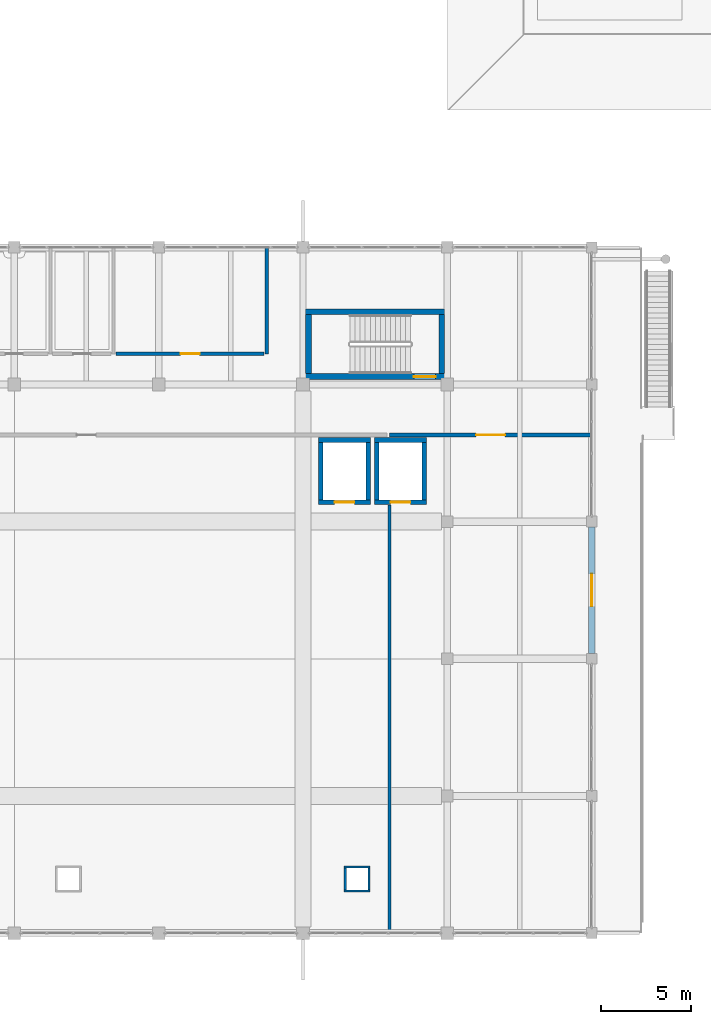
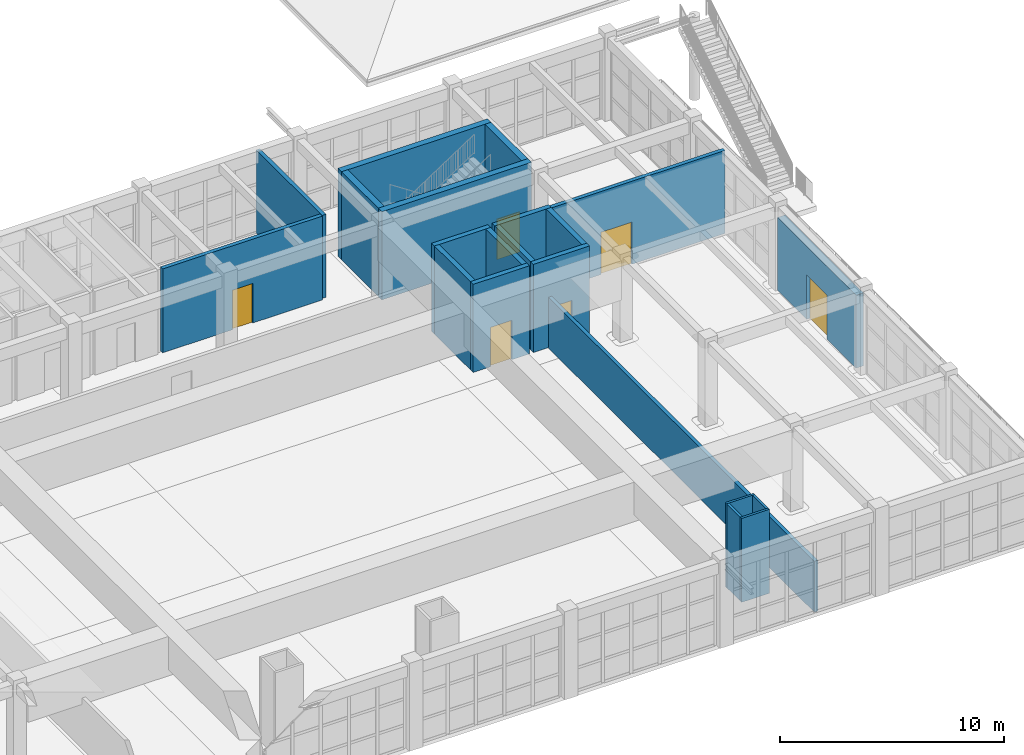
# One storey, part 38 of 50: 21 walls, 6 doors, 6 openings.
"""IFC4 building model written with IfcOpenShell, lengths in metres."""

from ifc_helpers import new_model, si_unit, direction, frame, frame_2d, origin, place, context, subcontext, project, spatial, rectangle, extrude, material, layer, layer_set, type_object, element, fill, save


model = new_model("IFC4")

# Units and contexts
model_context = context("Model", 3, precision=1e-05, world=origin(), true_north=direction((0.0, 1.0)))
body_context = subcontext(model_context, "Body", "Model", "MODEL_VIEW")
ifc_project = project(units=[si_unit("LENGTHUNIT", "METRE"), si_unit("AREAUNIT", "SQUARE_METRE"), si_unit("VOLUMEUNIT", "CUBIC_METRE"), si_unit("PLANEANGLEUNIT", "RADIAN"), si_unit("MASSUNIT", "GRAM", prefix="KILO")], contexts=[model_context])

# Site, building, storey
site_placement = place(None, origin())
site = spatial("IfcSite", under=ifc_project, at=site_placement, CompositionType="ELEMENT")
building_placement = place(site_placement, origin())
building = spatial("IfcBuilding", under=site, at=building_placement, Name="Zantavel Square City Hall", CompositionType="ELEMENT")
storey_placement = place(building_placement, frame((0.0, 0.0, 18.89990234375)))
storey = spatial("IfcBuildingStorey", under=building, at=storey_placement, Name="L05", CompositionType="ELEMENT", Elevation=18.89990234375)

# Wall, opening, door
ifc_material_1 = material(Name="Concrete C40/50", Category="concrete")
ifc_layer_1 = layer(ifc_material_1, 0.320068359375, Name="Concrete C40/50")
ifc_layer_set_1 = layer_set([ifc_layer_1], Name="Concrete C40/50")
wall_type_1 = type_object("IfcWallType", Name="Core Shear Wall RC 320mm C40/50", PredefinedType="SHEAR", material=ifc_layer_set_1)
wall_1_placement = place(storey_placement, frame((103.85009765625, 61.239990234375, 0.0), z_axis=(0.0, 0.0, 1.0), x_axis=(-1.0, 0.0, 0.0)))
wall_1 = element("IfcWall", 1, at=wall_1_placement, inside=storey, type_object=wall_type_1, Name="L05 Exit Stair 6 Central East Core Shear Wall South", PredefinedType="SHEAR", context=body_context, shape_type="SweptSolid", body=[
    extrude(rectangle(XDim=7.7001953125, YDim=0.320068359375, at=frame_2d((3.85009765625, 0.0))), origin(), (0.0, 0.0, 1.0), 4.800048828125),
])
opening_1_placement = place(wall_1_placement, frame((0.5, 0.0, 0.0)))
opening_1 = element("IfcOpeningElement", 2, at=opening_1_placement, cuts=wall_1, Name="Opening SD-031", PredefinedType="OPENING", context=body_context, shape_type="SweptSolid", body=[
    extrude(rectangle(XDim=1.199951171875, YDim=2.199951171875, at=frame_2d((0.60009765625, 1.10009765625))), frame((0.0, 0.169921875, 0.0), z_axis=(0.0, -1.0, 0.0), x_axis=(1.0, 0.0, 0.0)), (0.0, 0.0, 1.0), 0.340087890625),
])
ifc_material_2 = material(Name="Steel ASTM A500 Grade B", Category="steel")
door_type_1 = type_object("IfcDoorType", Name="Enclosed Exit Stairwell Fire Door 1200x2200 FD90S", OperationType="NOTDEFINED", PredefinedType="DOOR", material=ifc_material_2)
door_1_placement = place(opening_1_placement, origin())
door_1 = element("IfcDoor", 3, at=door_1_placement, inside=storey, type_object=door_type_1, Name="L05 Exit Stair 6 Central East Core Fire Door", OperationType="SINGLE_SWING_LEFT", OverallHeight=2.199951171875, OverallWidth=1.199951171875, PredefinedType="DOOR", context=body_context, shape_type="SweptSolid", body=[
    extrude(rectangle(XDim=1.199951171875, YDim=2.199951171875, at=frame_2d((0.60009765625, 1.10009765625))), frame((0.0, 0.02490234375, 0.0), z_axis=(0.0, -1.0, 0.0), x_axis=(1.0, 0.0, 0.0)), (0.0, 0.0, 1.0), 0.050048828125),
])
fill(opening_1, door_1)

# Walls
wall_2_placement = place(storey_placement, frame((96.31005859375, 61.39990234375, 0.0), z_axis=(0.0, 0.0, 1.0), x_axis=(0.0, 1.0, 0.0)))
element("IfcWall", 4, at=wall_2_placement, inside=storey, type_object=wall_type_1, Name="L05 Exit Stair 6 Central East Core Shear Wall West", PredefinedType="SHEAR", context=body_context, shape_type="SweptSolid", body=[
    extrude(rectangle(XDim=3.27001953125, YDim=0.320068359375, at=frame_2d((1.635009765625, 0.0))), origin(), (0.0, 0.0, 1.0), 4.800048828125),
])
wall_3_placement = place(storey_placement, frame((96.14990234375, 64.830078125, 0.0), z_axis=(0.0, 0.0, 1.0), x_axis=(1.0, 0.0, 0.0)))
element("IfcWall", 5, at=wall_3_placement, inside=storey, type_object=wall_type_1, Name="L05 Exit Stair 6 Central East Core Shear Wall North", PredefinedType="SHEAR", context=body_context, shape_type="SweptSolid", body=[
    extrude(rectangle(XDim=7.7001953125, YDim=0.320068359375, at=frame_2d((3.85009765625, 0.0))), origin(), (0.0, 0.0, 1.0), 4.800048828125),
])
wall_4_placement = place(storey_placement, frame((103.68994140625, 64.669921875, 0.0), z_axis=(0.0, 0.0, 1.0), x_axis=(0.0, -1.0, 0.0)))
element("IfcWall", 6, at=wall_4_placement, inside=storey, type_object=wall_type_1, Name="L05 Exit Stair 6 Central East Core Shear Wall East", PredefinedType="SHEAR", context=body_context, shape_type="SweptSolid", body=[
    extrude(rectangle(XDim=3.27001953125, YDim=0.320068359375, at=frame_2d((1.635009765625, 0.0))), origin(), (0.0, 0.0, 1.0), 4.800048828125),
])
ifc_material_3 = material(Name="Gypsum acoustic stud assembly", Category="masonry")
ifc_layer_2 = layer(ifc_material_3, 0.179931640625, Name="Gypsum acoustic stud assembly")
ifc_layer_set_2 = layer_set([ifc_layer_2], Name="Gypsum acoustic stud assembly")
wall_type_2 = type_object("IfcWallType", Name="Council Acoustic Partition 180mm", PredefinedType="PARTITIONING", material=ifc_layer_set_2)
wall_5_placement = place(storey_placement, frame((100.800048828125, 30.39990234375, 0.0), z_axis=(0.0, 0.0, 1.0), x_axis=(0.0, 1.0, 0.0)))
element("IfcWall", 7, at=wall_5_placement, inside=storey, type_object=wall_type_2, Name="L05 Interior Wall IW-L05-0340", PredefinedType="PARTITIONING", context=body_context, shape_type="SweptSolid", body=[
    extrude(rectangle(XDim=23.72021484375, YDim=0.179931640625, at=frame_2d((11.860107421875, 0.0))), origin(), (0.0, 0.0, 1.0), 2.77001953125),
])

# Wall, opening, door
ifc_material_4 = material(Name="Cantera volcanic tuff stone", Category="masonry")
ifc_layer_3 = layer(ifc_material_4, 0.199951171875, Name="Cantera volcanic tuff stone")
ifc_layer_set_3 = layer_set([ifc_layer_3], Name="Cantera volcanic tuff stone")
wall_type_3 = type_object("IfcWallType", Name="Exit Corridor Rated Wall 200mm", PredefinedType="STANDARD", material=ifc_layer_set_3)
wall_6_placement = place(storey_placement, frame((100.800048828125, 58.0, 0.0), z_axis=(0.0, 0.0, 1.0), x_axis=(1.0, 0.0, 0.0)))
wall_6 = element("IfcWall", 8, at=wall_6_placement, inside=storey, type_object=wall_type_3, Name="L05 Interior Wall IW-L05-0341", PredefinedType="STANDARD", context=body_context, shape_type="SweptSolid", body=[
    extrude(rectangle(XDim=11.199951171875, YDim=0.199951171875, at=frame_2d((5.60009765625, 0.0))), origin(), (0.0, 0.0, 1.0), 4.52001953125),
])
opening_2_placement = place(wall_6_placement, frame((4.800048828125, 0.0, 0.0)))
opening_2 = element("IfcOpeningElement", 9, at=opening_2_placement, cuts=wall_6, Name="Opening D-0163", PredefinedType="OPENING", context=body_context, shape_type="SweptSolid", body=[
    extrude(rectangle(XDim=1.60009765625, YDim=2.300048828125, at=frame_2d((0.800048828125, 1.14990234375))), frame((0.0, 0.10986328125, 0.0), z_axis=(0.0, -1.0, 0.0), x_axis=(1.0, 0.0, 0.0)), (0.0, 0.0, 1.0), 0.219970703125),
])
ifc_material_5 = material(Name="Solid oak hardwood", Category="wood")
door_type_2 = type_object("IfcDoorType", Name="Committee Suite Fire Double Door 1600x2300 FD60S", OperationType="NOTDEFINED", PredefinedType="DOOR", material=ifc_material_5)
door_2_placement = place(opening_2_placement, origin())
door_2 = element("IfcDoor", 10, at=door_2_placement, inside=storey, type_object=door_type_2, Name="L05 Council Deliberation Lounge East Door", OperationType="DOUBLE_DOOR_SINGLE_SWING", OverallHeight=2.300048828125, OverallWidth=1.60009765625, PredefinedType="DOOR", context=body_context, shape_type="SweptSolid", body=[
    extrude(rectangle(XDim=1.60009765625, YDim=2.300048828125, at=frame_2d((0.800048828125, 1.14990234375))), frame((0.0, 0.02490234375, 0.0), z_axis=(0.0, -1.0, 0.0), x_axis=(1.0, 0.0, 0.0)), (0.0, 0.0, 1.0), 0.050048828125),
])
fill(opening_2, door_2)

# Wall
wall_7_placement = place(storey_placement, frame((94.0, 68.39990234375, 0.0), z_axis=(0.0, 0.0, 1.0), x_axis=(0.0, -1.0, 0.0)))
element("IfcWall", 11, at=wall_7_placement, inside=storey, type_object=wall_type_3, Name="L05 Interior Wall IW-L05-0346", PredefinedType="STANDARD", context=body_context, shape_type="SweptSolid", body=[
    extrude(rectangle(XDim=5.89990234375, YDim=0.199951171875, at=frame_2d((2.949951171875, 0.0))), origin(), (0.0, 0.0, 1.0), 4.52001953125),
])

# Wall, opening, door
wall_8_placement = place(storey_placement, frame((93.85009765625, 62.5, 0.0), z_axis=(0.0, 0.0, 1.0), x_axis=(-1.0, 0.0, 0.0)))
wall_8 = element("IfcWall", 12, at=wall_8_placement, inside=storey, type_object=wall_type_3, Name="L05 Interior Wall IW-L05-0347", PredefinedType="STANDARD", context=body_context, shape_type="SweptSolid", body=[
    extrude(rectangle(XDim=8.22021484375, YDim=0.199951171875, at=frame_2d((4.110107421875, 0.0))), origin(), (0.0, 0.0, 1.0), 4.570068359375),
])
opening_3_placement = place(wall_8_placement, frame((3.5849609375, 0.0, 0.0)))
opening_3 = element("IfcOpeningElement", 13, at=opening_3_placement, cuts=wall_8, Name="Opening D-0165", PredefinedType="OPENING", context=body_context, shape_type="SweptSolid", body=[
    extrude(rectangle(XDim=1.050048828125, YDim=2.14990234375, at=frame_2d((0.52490234375, 1.074951171875))), frame((0.0, 0.10986328125, 0.0), z_axis=(0.0, -1.0, 0.0), x_axis=(1.0, 0.0, 0.0)), (0.0, 0.0, 1.0), 0.219970703125),
])
door_type_3 = type_object("IfcDoorType", Name="Corridor Office Oak Fire Door 1050x2150 FD60S", OperationType="NOTDEFINED", PredefinedType="DOOR", material=ifc_material_5)
door_3_placement = place(opening_3_placement, origin())
door_3 = element("IfcDoor", 14, at=door_3_placement, inside=storey, type_object=door_type_3, Name="L05 Clerk of the Council Recording Office Door", OperationType="SINGLE_SWING_LEFT", OverallHeight=2.14990234375, OverallWidth=1.050048828125, PredefinedType="DOOR", context=body_context, shape_type="SweptSolid", body=[
    extrude(rectangle(XDim=1.050048828125, YDim=2.14990234375, at=frame_2d((0.52490234375, 1.074951171875))), frame((0.0, 0.02490234375, 0.0), z_axis=(0.0, -1.0, 0.0), x_axis=(1.0, 0.0, 0.0)), (0.0, 0.0, 1.0), 0.050048828125),
])
fill(opening_3, door_3)

ifc_layer_4 = layer(ifc_material_1, 0.25, Name="Concrete C40/50")
ifc_layer_set_4 = layer_set([ifc_layer_4], Name="Concrete C40/50")
wall_type_4 = type_object("IfcWallType", Name="Lift Shaft Wall RC 250mm C40/50", PredefinedType="SHEAR", material=ifc_layer_set_4)
wall_9_placement = place(storey_placement, frame((99.75, 54.27490234375, 0.0), z_axis=(0.0, 0.0, 1.0), x_axis=(-1.0, 0.0, 0.0)))
wall_9 = element("IfcWall", 15, at=wall_9_placement, inside=storey, type_object=wall_type_4, Name="L05 Lift LF03 Shaft Wall South", PredefinedType="SHEAR", context=body_context, shape_type="SweptSolid", body=[
    extrude(rectangle(XDim=2.89990234375, YDim=0.25, at=frame_2d((1.449951171875, 0.0))), origin(), (0.0, 0.0, 1.0), 4.800048828125),
])
opening_4_placement = place(wall_9_placement, frame((0.89990234375, 0.0, 0.0)))
opening_4 = element("IfcOpeningElement", 16, at=opening_4_placement, cuts=wall_9, Name="Opening LD-LF03-L05", PredefinedType="OPENING", context=body_context, shape_type="SweptSolid", body=[
    extrude(rectangle(XDim=1.10009765625, YDim=2.14990234375, at=frame_2d((0.550048828125, 1.074951171875))), frame((0.0, 0.135009765625, 0.0), z_axis=(0.0, -1.0, 0.0), x_axis=(1.0, 0.0, 0.0)), (0.0, 0.0, 1.0), 0.27001953125),
])
ifc_material_6 = material(Name="Stainless steel 316", Category="steel")
door_type_4 = type_object("IfcDoorType", Name="Lift Landing Sliding Door 1100x2150 FD90S", OperationType="NOTDEFINED", PredefinedType="DOOR", material=ifc_material_6)
door_4_placement = place(opening_4_placement, origin())
door_4 = element("IfcDoor", 17, at=door_4_placement, inside=storey, type_object=door_type_4, Name="L05 Lift LF03 Sliding Landing Door", OperationType="DOUBLE_DOOR_SLIDING", OverallHeight=2.14990234375, OverallWidth=1.10009765625, PredefinedType="DOOR", context=body_context, shape_type="SweptSolid", body=[
    extrude(rectangle(XDim=1.10009765625, YDim=2.14990234375, at=frame_2d((0.550048828125, 1.074951171875))), frame((0.0, 0.02490234375, 0.0), z_axis=(0.0, -1.0, 0.0), x_axis=(1.0, 0.0, 0.0)), (0.0, 0.0, 1.0), 0.050048828125),
])
fill(opening_4, door_4)

# Walls
wall_10_placement = place(storey_placement, frame((96.97509765625, 54.39990234375, 0.0), z_axis=(0.0, 0.0, 1.0), x_axis=(0.0, 1.0, 0.0)))
element("IfcWall", 18, at=wall_10_placement, inside=storey, type_object=wall_type_4, Name="L05 Lift LF03 Shaft Wall West", PredefinedType="SHEAR", context=body_context, shape_type="SweptSolid", body=[
    extrude(rectangle(XDim=3.2001953125, YDim=0.25, at=frame_2d((1.60009765625, 0.0))), origin(), (0.0, 0.0, 1.0), 4.800048828125),
])
wall_11_placement = place(storey_placement, frame((96.85009765625, 57.72509765625, 0.0), z_axis=(0.0, 0.0, 1.0), x_axis=(1.0, 0.0, 0.0)))
element("IfcWall", 19, at=wall_11_placement, inside=storey, type_object=wall_type_4, Name="L05 Lift LF03 Shaft Wall North", PredefinedType="SHEAR", context=body_context, shape_type="SweptSolid", body=[
    extrude(rectangle(XDim=2.89990234375, YDim=0.25, at=frame_2d((1.449951171875, 0.0))), origin(), (0.0, 0.0, 1.0), 4.800048828125),
])
wall_12_placement = place(storey_placement, frame((99.625, 57.60009765625, 0.0), z_axis=(0.0, 0.0, 1.0), x_axis=(0.0, -1.0, 0.0)))
element("IfcWall", 20, at=wall_12_placement, inside=storey, type_object=wall_type_4, Name="L05 Lift LF03 Shaft Wall East", PredefinedType="SHEAR", context=body_context, shape_type="SweptSolid", body=[
    extrude(rectangle(XDim=3.2001953125, YDim=0.25, at=frame_2d((1.60009765625, 0.0))), origin(), (0.0, 0.0, 1.0), 4.800048828125),
])

# Wall, opening, door
wall_13_placement = place(storey_placement, frame((102.85009765625, 54.27490234375, 0.0), z_axis=(0.0, 0.0, 1.0), x_axis=(-1.0, 0.0, 0.0)))
wall_13 = element("IfcWall", 21, at=wall_13_placement, inside=storey, type_object=wall_type_4, Name="L05 Lift LF04 Shaft Wall South", PredefinedType="SHEAR", context=body_context, shape_type="SweptSolid", body=[
    extrude(rectangle(XDim=2.900146484375, YDim=0.25, at=frame_2d((1.4501953125, 0.0))), origin(), (0.0, 0.0, 1.0), 4.800048828125),
])
opening_5_placement = place(wall_13_placement, frame((0.89990234375, 0.0, 0.0)))
opening_5 = element("IfcOpeningElement", 22, at=opening_5_placement, cuts=wall_13, Name="Opening LD-LF04-L05", PredefinedType="OPENING", context=body_context, shape_type="SweptSolid", body=[
    extrude(rectangle(XDim=1.10009765625, YDim=2.14990234375, at=frame_2d((0.550048828125, 1.074951171875))), frame((0.0, 0.135009765625, 0.0), z_axis=(0.0, -1.0, 0.0), x_axis=(1.0, 0.0, 0.0)), (0.0, 0.0, 1.0), 0.27001953125),
])
door_5_placement = place(opening_5_placement, origin())
door_5 = element("IfcDoor", 23, at=door_5_placement, inside=storey, type_object=door_type_4, Name="L05 Lift LF04 Sliding Landing Door", OperationType="DOUBLE_DOOR_SLIDING", OverallHeight=2.14990234375, OverallWidth=1.10009765625, PredefinedType="DOOR", context=body_context, shape_type="SweptSolid", body=[
    extrude(rectangle(XDim=1.10009765625, YDim=2.14990234375, at=frame_2d((0.550048828125, 1.074951171875))), frame((0.0, 0.02490234375, 0.0), z_axis=(0.0, -1.0, 0.0), x_axis=(1.0, 0.0, 0.0)), (0.0, 0.0, 1.0), 0.050048828125),
])
fill(opening_5, door_5)

# Walls
wall_14_placement = place(storey_placement, frame((100.074951171875, 54.39990234375, 0.0), z_axis=(0.0, 0.0, 1.0), x_axis=(0.0, 1.0, 0.0)))
element("IfcWall", 24, at=wall_14_placement, inside=storey, type_object=wall_type_4, Name="L05 Lift LF04 Shaft Wall West", PredefinedType="SHEAR", context=body_context, shape_type="SweptSolid", body=[
    extrude(rectangle(XDim=3.2001953125, YDim=0.25, at=frame_2d((1.60009765625, 0.0))), origin(), (0.0, 0.0, 1.0), 4.800048828125),
])
wall_15_placement = place(storey_placement, frame((99.949951171875, 57.72509765625, 0.0), z_axis=(0.0, 0.0, 1.0), x_axis=(1.0, 0.0, 0.0)))
element("IfcWall", 25, at=wall_15_placement, inside=storey, type_object=wall_type_4, Name="L05 Lift LF04 Shaft Wall North", PredefinedType="SHEAR", context=body_context, shape_type="SweptSolid", body=[
    extrude(rectangle(XDim=2.900146484375, YDim=0.25, at=frame_2d((1.4501953125, 0.0))), origin(), (0.0, 0.0, 1.0), 4.800048828125),
])
wall_16_placement = place(storey_placement, frame((102.72509765625, 57.60009765625, 0.0), z_axis=(0.0, 0.0, 1.0), x_axis=(0.0, -1.0, 0.0)))
element("IfcWall", 26, at=wall_16_placement, inside=storey, type_object=wall_type_4, Name="L05 Lift LF04 Shaft Wall East", PredefinedType="SHEAR", context=body_context, shape_type="SweptSolid", body=[
    extrude(rectangle(XDim=3.2001953125, YDim=0.25, at=frame_2d((1.60009765625, 0.0))), origin(), (0.0, 0.0, 1.0), 4.800048828125),
])
ifc_material_7 = material(Name="Concrete C35/45", Category="concrete")
ifc_layer_5 = layer(ifc_material_7, 0.1201171875, Name="Concrete C35/45")
ifc_layer_set_5 = layer_set([ifc_layer_5], Name="Concrete C35/45")
wall_type_5 = type_object("IfcWallType", Name="Riser Chase Wall RC 120mm C35/45", PredefinedType="PARTITIONING", material=ifc_layer_set_5)
wall_17_placement = place(storey_placement, frame((99.719970703125, 32.739990234375, 0.0), z_axis=(0.0, 0.0, 1.0), x_axis=(-1.0, 0.0, 0.0)))
element("IfcWall", 27, at=wall_17_placement, inside=storey, type_object=wall_type_5, Name="L05 MEP Riser 04 Wall S", PredefinedType="PARTITIONING", context=body_context, shape_type="SweptSolid", body=[
    extrude(rectangle(XDim=1.43994140625, YDim=0.1201171875, at=frame_2d((0.719970703125, 0.0))), origin(), (0.0, 0.0, 1.0), 4.570068359375),
])
wall_18_placement = place(storey_placement, frame((98.340087890625, 32.800048828125, 0.0), z_axis=(0.0, 0.0, 1.0), x_axis=(0.0, 1.0, 0.0)))
element("IfcWall", 28, at=wall_18_placement, inside=storey, type_object=wall_type_5, Name="L05 MEP Riser 04 Wall W", PredefinedType="PARTITIONING", context=body_context, shape_type="SweptSolid", body=[
    extrude(rectangle(XDim=1.199951171875, YDim=0.1201171875, at=frame_2d((0.60009765625, 0.0))), origin(), (0.0, 0.0, 1.0), 4.570068359375),
])
wall_19_placement = place(storey_placement, frame((98.280029296875, 34.06005859375, 0.0), z_axis=(0.0, 0.0, 1.0), x_axis=(1.0, 0.0, 0.0)))
element("IfcWall", 29, at=wall_19_placement, inside=storey, type_object=wall_type_5, Name="L05 MEP Riser 04 Wall N", PredefinedType="PARTITIONING", context=body_context, shape_type="SweptSolid", body=[
    extrude(rectangle(XDim=1.43994140625, YDim=0.1201171875, at=frame_2d((0.719970703125, 0.0))), origin(), (0.0, 0.0, 1.0), 4.570068359375),
])
wall_20_placement = place(storey_placement, frame((99.659912109375, 34.0, 0.0), z_axis=(0.0, 0.0, 1.0), x_axis=(0.0, -1.0, 0.0)))
element("IfcWall", 30, at=wall_20_placement, inside=storey, type_object=wall_type_5, Name="L05 MEP Riser 04 Wall E", PredefinedType="PARTITIONING", context=body_context, shape_type="SweptSolid", body=[
    extrude(rectangle(XDim=1.199951171875, YDim=0.1201171875, at=frame_2d((0.60009765625, 0.0))), origin(), (0.0, 0.0, 1.0), 4.570068359375),
])

# Wall, opening, door
ifc_material_8 = material(Name="White cantera volcanic tuff stone", Category="masonry")
ifc_layer_6 = layer(ifc_material_8, 0.3798828125, Name="White cantera volcanic tuff stone")
ifc_layer_set_6 = layer_set([ifc_layer_6], Name="White cantera volcanic tuff stone")
wall_type_6 = type_object("IfcWallType", Name="White Cantera Tray Facade Wall 380mm", PredefinedType="STANDARD", material=ifc_layer_set_6)
wall_21_placement = place(storey_placement, frame((112.0, 52.89990234375, 0.0), z_axis=(0.0, 0.0, 1.0), x_axis=(0.0, -1.0, 0.0)))
wall_21 = element("IfcWall", 31, at=wall_21_placement, inside=storey, type_object=wall_type_6, Name="L05 Exterior Wall EW-L05-010", PredefinedType="STANDARD", context=body_context, shape_type="SweptSolid", body=[
    extrude(rectangle(XDim=7.0, YDim=0.3798828125, at=frame_2d((3.5, 0.0))), origin(), (0.0, 0.0, 1.0), 3.97021484375),
])
opening_6_placement = place(wall_21_placement, frame((2.60009765625, 0.0, 0.0)))
opening_6 = element("IfcOpeningElement", 32, at=opening_6_placement, cuts=wall_21, Name="Opening ED-032", PredefinedType="OPENING", context=body_context, shape_type="SweptSolid", body=[
    extrude(rectangle(XDim=1.800048828125, YDim=2.39990234375, at=frame_2d((0.89990234375, 1.199951171875))), frame((0.0, 0.199951171875, 0.0), z_axis=(0.0, -1.0, 0.0), x_axis=(1.0, 0.0, 0.0)), (0.0, 0.0, 1.0), 0.39990234375),
])
ifc_material_9 = material(Name="Anodised aluminium 6063-T6", Category="aluminium")
door_type_5 = type_object("IfcDoorType", Name="Tray Terrace Glazed Double Door 1800x2400", OperationType="NOTDEFINED", PredefinedType="DOOR", material=ifc_material_9)
door_6_placement = place(opening_6_placement, origin())
door_6 = element("IfcDoor", 33, at=door_6_placement, inside=storey, type_object=door_type_5, Name="L05 East Council Tray Terrace Door", OperationType="DOUBLE_DOOR_SINGLE_SWING", OverallHeight=2.39990234375, OverallWidth=1.800048828125, PredefinedType="DOOR", context=body_context, shape_type="SweptSolid", body=[
    extrude(rectangle(XDim=1.800048828125, YDim=2.39990234375, at=frame_2d((0.89990234375, 1.199951171875))), frame((0.0, 0.02490234375, 0.0), z_axis=(0.0, -1.0, 0.0), x_axis=(1.0, 0.0, 0.0)), (0.0, 0.0, 1.0), 0.050048828125),
])
fill(opening_6, door_6)

save(model, "model.ifc")
